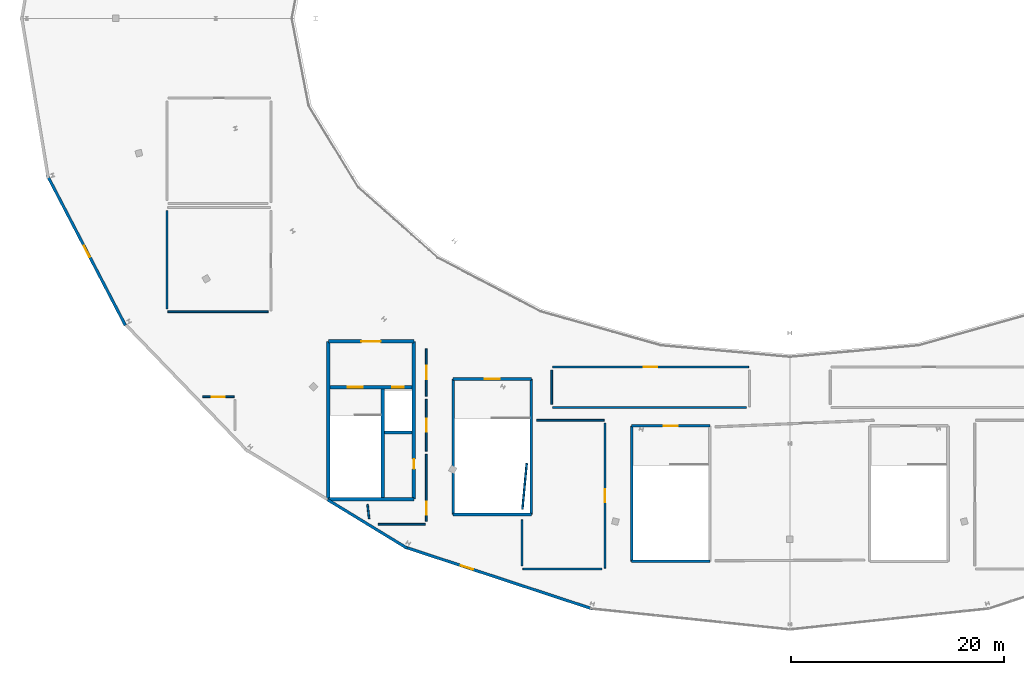
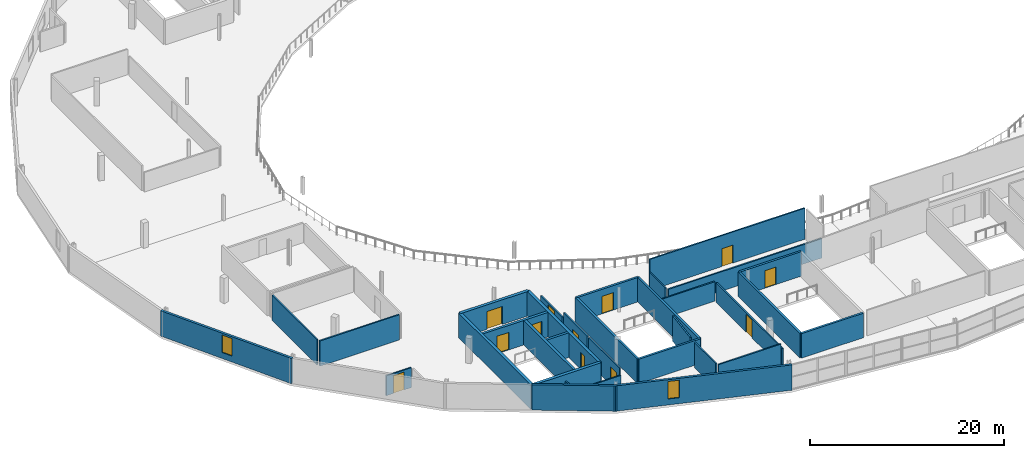
# One storey, part 25 of 35: 33 walls, 12 doors, 2 windows, 14 openings.
"""IFC4 building model written with IfcOpenShell, lengths in metres."""

from ifc_helpers import new_model, si_unit, direction, frame, frame_2d, origin, place, context, subcontext, project, spatial, rectangle, extrude, material, layer, layer_set, type_object, element, fill, save


model = new_model("IFC4")

# Units and contexts
model_context = context("Model", 3, precision=1e-05, world=origin(), true_north=direction((0.0, 1.0)))
body_context = subcontext(model_context, "Body", "Model", "MODEL_VIEW")
ifc_project = project(units=[si_unit("LENGTHUNIT", "METRE"), si_unit("AREAUNIT", "SQUARE_METRE"), si_unit("VOLUMEUNIT", "CUBIC_METRE"), si_unit("PLANEANGLEUNIT", "RADIAN"), si_unit("MASSUNIT", "GRAM", prefix="KILO")], contexts=[model_context])

# Site, building, storey
site_placement = place(None, origin())
site = spatial("IfcSite", under=ifc_project, at=site_placement, CompositionType="ELEMENT")
building_placement = place(site_placement, origin())
building = spatial("IfcBuilding", under=site, at=building_placement, Name="Kalgoora Escarpment Arena", CompositionType="ELEMENT")
storey_placement = place(building_placement, frame((0.0, 0.0, 23.39990234375)))
storey = spatial("IfcBuildingStorey", under=building, at=storey_placement, Name="L05", CompositionType="ELEMENT", Elevation=23.39990234375)

# Wall
ifc_material_1 = material(Name="Concrete N50 (fc' 50 MPa)", Category="concrete")
ifc_layer_1 = layer(ifc_material_1, 0.35009765625)
ifc_layer_set_1 = layer_set([ifc_layer_1], Name="WAL-CORE-350")
wall_type_1 = type_object("IfcWallType", Name="WAL-CORE-350", PredefinedType="SHEAR", material=ifc_layer_set_1)
wall_1_placement = place(storey_placement, frame((48.97509765625, 18.77490234375, 0.0), z_axis=(0.0, 0.0, 1.0), x_axis=(1.0, 0.0, 0.0)))
element("IfcWall", 1, at=wall_1_placement, inside=storey, type_object=wall_type_1, Name="Core C5 L05 south shear wall", PredefinedType="SHEAR", context=body_context, shape_type="SweptSolid", body=[
    extrude(rectangle(XDim=8.0498046875, YDim=0.35009765625, at=frame_2d((4.02490234375, 0.0))), origin(), (0.0, 0.0, 1.0), 3.080078125),
])

# Wall, opening, door
wall_2_placement = place(storey_placement, frame((48.97509765625, 33.625, 0.0), z_axis=(0.0, 0.0, 1.0), x_axis=(1.0, 0.0, 0.0)))
wall_2 = element("IfcWall", 2, at=wall_2_placement, inside=storey, type_object=wall_type_1, Name="Core C5 L05 north lobby wall", PredefinedType="SHEAR", context=body_context, shape_type="SweptSolid", body=[
    extrude(rectangle(XDim=8.0498046875, YDim=0.35009765625, at=frame_2d((4.02490234375, 0.0))), origin(), (0.0, 0.0, 1.0), 3.080078125),
])
opening_1_placement = place(wall_2_placement, frame((3.125, 0.0, 0.0)))
opening_1 = element("IfcOpeningElement", 3, at=opening_1_placement, cuts=wall_2, Name="Opening FD-C5L", PredefinedType="OPENING", context=body_context, shape_type="SweptSolid", body=[
    extrude(rectangle(XDim=1.800048828125, YDim=2.25, at=frame_2d((0.89990234375, 1.125))), frame((0.0, 0.18505859375, 0.0), z_axis=(0.0, -1.0, 0.0), x_axis=(1.0, 0.0, 0.0)), (0.0, 0.0, 1.0), 0.3701171875),
])
ifc_material_2 = material(Name="Double fire-rated smoke-seal lobby door")
door_type_1 = type_object("IfcDoorType", Name="DR-LOBBY-1800", OperationType="NOTDEFINED", PredefinedType="DOOR", material=ifc_material_2)
door_1_placement = place(opening_1_placement, origin())
door_1 = element("IfcDoor", 4, at=door_1_placement, inside=storey, type_object=door_type_1, Name="Core C5 L05 smoke-lobby fire door", OperationType="DOUBLE_DOOR_SINGLE_SWING", OverallHeight=2.25, OverallWidth=1.800048828125, PredefinedType="DOOR", context=body_context, shape_type="SweptSolid", body=[
    extrude(rectangle(XDim=1.800048828125, YDim=2.25, at=frame_2d((0.89990234375, 1.125))), frame((0.0, 0.02490234375, 0.0), z_axis=(0.0, -1.0, 0.0), x_axis=(1.0, 0.0, 0.0)), (0.0, 0.0, 1.0), 0.050048828125),
])
fill(opening_1, door_1)

# Wall
wall_3_placement = place(storey_placement, frame((48.97509765625, 18.77490234375, 0.0), z_axis=(0.0, 0.0, 1.0), x_axis=(0.0, 1.0, 0.0)))
element("IfcWall", 5, at=wall_3_placement, inside=storey, type_object=wall_type_1, Name="Core C5 L05 west shear wall", PredefinedType="SHEAR", context=body_context, shape_type="SweptSolid", body=[
    extrude(rectangle(XDim=14.85009765625, YDim=0.35009765625, at=frame_2d((7.425048828125, 0.0))), origin(), (0.0, 0.0, 1.0), 3.080078125),
])

# Wall, opening, door
wall_4_placement = place(storey_placement, frame((57.02490234375, 18.77490234375, 0.0), z_axis=(0.0, 0.0, 1.0), x_axis=(0.0, 1.0, 0.0)))
wall_4 = element("IfcWall", 6, at=wall_4_placement, inside=storey, type_object=wall_type_1, Name="Core C5 L05 east shear wall", PredefinedType="SHEAR", context=body_context, shape_type="SweptSolid", body=[
    extrude(rectangle(XDim=14.85009765625, YDim=0.35009765625, at=frame_2d((7.425048828125, 0.0))), origin(), (0.0, 0.0, 1.0), 3.080078125),
])
opening_2_placement = place(wall_4_placement, frame((2.85498046875, 0.0, 0.0)))
opening_2 = element("IfcOpeningElement", 7, at=opening_2_placement, cuts=wall_4, Name="Opening FD-C5R", PredefinedType="OPENING", context=body_context, shape_type="SweptSolid", body=[
    extrude(rectangle(XDim=0.89990234375, YDim=2.10009765625, at=frame_2d((0.449951171875, 1.050048828125))), frame((0.0, 0.18505859375, 0.0), z_axis=(0.0, -1.0, 0.0), x_axis=(1.0, 0.0, 0.0)), (0.0, 0.0, 1.0), 0.3701171875),
])
ifc_material_3 = material(Name="Fire-rated steel riser access door", Category="steel")
door_type_2 = type_object("IfcDoorType", Name="DR-RISER-0900", OperationType="NOTDEFINED", PredefinedType="DOOR", material=ifc_material_3)
door_2_placement = place(opening_2_placement, origin())
door_2 = element("IfcDoor", 8, at=door_2_placement, inside=storey, type_object=door_type_2, Name="Core C5 L05 riser cupboard access door", OperationType="SINGLE_SWING_RIGHT", OverallHeight=2.10009765625, OverallWidth=0.89990234375, PredefinedType="DOOR", context=body_context, shape_type="SweptSolid", body=[
    extrude(rectangle(XDim=0.89990234375, YDim=2.10009765625, at=frame_2d((0.449951171875, 1.050048828125))), frame((0.0, 0.02490234375, 0.0), z_axis=(0.0, -1.0, 0.0), x_axis=(1.0, 0.0, 0.0)), (0.0, 0.0, 1.0), 0.050048828125),
])
fill(opening_2, door_2)

# Wall, opening, window
ifc_material_4 = material(Name="Media ring insulated acoustic facade wall 40 MPa", Category="concrete")
ifc_layer_2 = layer(ifc_material_4, 0.264892578125)
ifc_layer_set_2 = layer_set([ifc_layer_2], Name="WAL-EXT-265")
wall_type_2 = type_object("IfcWallType", Name="WAL-EXT-265", PredefinedType="SOLIDWALL", material=ifc_layer_set_2)
wall_5_placement = place(storey_placement, frame((73.848876953125, 8.4404296875, 0.0), z_axis=(0.0, 0.0, 1.0), x_axis=(-0.949760483421, 0.312977673536, 0.0)))
wall_5 = element("IfcWall", 9, at=wall_5_placement, inside=storey, type_object=wall_type_2, Name="L05 limestone-faced external wall 083", PredefinedType="SOLIDWALL", context=body_context, shape_type="SweptSolid", body=[
    extrude(rectangle(XDim=18.692626953125, YDim=0.264892578125, at=frame_2d((9.34619140625, 0.0))), origin(), (0.0, 0.0, 1.0), 3.18017578125),
])
opening_3_placement = place(wall_5_placement, frame((11.85009765625, 0.0, 0.75)))
opening_3 = element("IfcOpeningElement", 10, at=opening_3_placement, cuts=wall_5, Name="Opening W-05", PredefinedType="OPENING", context=body_context, shape_type="SweptSolid", body=[
    extrude(rectangle(XDim=1.199951171875, YDim=2.199951171875, at=frame_2d((0.60009765625, 1.10009765625))), frame((0.0, 0.142333984375, 0.0), z_axis=(0.0, -1.0, 0.0), x_axis=(1.0, 0.0, 0.0)), (0.0, 0.0, 1.0), 0.284912109375),
])
ifc_material_5 = material(Name="Low-E solar-control double glazing in champagne frame", Category="glass")
window_type = type_object("IfcWindowType", Name="WIN-DECO-1200x2200", PartitioningType="SINGLE_PANEL", PredefinedType="WINDOW", material=ifc_material_5)
window_1_placement = place(opening_3_placement, origin())
window_1 = element("IfcWindow", 11, at=window_1_placement, inside=storey, type_object=window_type, Name="L05 scheduled facade window 143", OverallHeight=2.199951171875, OverallWidth=1.199951171875, PartitioningType="SINGLE_PANEL", PredefinedType="WINDOW", context=body_context, shape_type="SweptSolid", body=[
    extrude(rectangle(XDim=1.199951171875, YDim=2.199951171875, at=frame_2d((0.60009765625, 1.10009765625))), frame((0.0, 0.030029296875, 0.0), z_axis=(0.0, -1.0, 0.0), x_axis=(1.0, 0.0, 0.0)), (0.0, 0.0, 1.0), 0.06005859375),
])
fill(opening_3, window_1)

# Wall
wall_6_placement = place(storey_placement, frame((56.400146484375, 14.14990234375, 0.0), z_axis=(0.0, 0.0, 1.0), x_axis=(-0.853522240257, 0.521056412864, 0.0)))
element("IfcWall", 12, at=wall_6_placement, inside=storey, type_object=wall_type_2, Name="L05 limestone-faced external wall 084", PredefinedType="SOLIDWALL", context=body_context, shape_type="SweptSolid", body=[
    extrude(rectangle(XDim=8.757568359375, YDim=0.264892578125, at=frame_2d((4.37890625, 0.0))), origin(), (0.0, 0.0, 1.0), 3.18017578125),
])

# Wall, opening, window
wall_7_placement = place(storey_placement, frame((29.88818359375, 35.125, 0.0), z_axis=(0.0, 0.0, 1.0), x_axis=(-0.461805637467, 0.886981145912, 0.0)))
wall_7 = element("IfcWall", 13, at=wall_7_placement, inside=storey, type_object=wall_type_2, Name="L05 limestone-faced external wall 087", PredefinedType="SOLIDWALL", context=body_context, shape_type="SweptSolid", body=[
    extrude(rectangle(XDim=15.969482421875, YDim=0.264892578125, at=frame_2d((7.98486328125, 0.0))), origin(), (0.0, 0.0, 1.0), 3.18017578125),
])
opening_4_placement = place(wall_7_placement, frame((7.25, 0.0, 0.75)))
opening_4 = element("IfcOpeningElement", 14, at=opening_4_placement, cuts=wall_7, Name="Opening W-05", PredefinedType="OPENING", context=body_context, shape_type="SweptSolid", body=[
    extrude(rectangle(XDim=1.199951171875, YDim=2.199951171875, at=frame_2d((0.60009765625, 1.10009765625))), frame((0.0, 0.142333984375, 0.0), z_axis=(0.0, -1.0, 0.0), x_axis=(1.0, 0.0, 0.0)), (0.0, 0.0, 1.0), 0.284912109375),
])
window_2_placement = place(opening_4_placement, origin())
window_2 = element("IfcWindow", 15, at=window_2_placement, inside=storey, type_object=window_type, Name="L05 scheduled facade window 144", OverallHeight=2.199951171875, OverallWidth=1.199951171875, PartitioningType="SINGLE_PANEL", PredefinedType="WINDOW", context=body_context, shape_type="SweptSolid", body=[
    extrude(rectangle(XDim=1.199951171875, YDim=2.199951171875, at=frame_2d((0.60009765625, 1.10009765625))), frame((0.0, 0.030029296875, 0.0), z_axis=(0.0, -1.0, 0.0), x_axis=(1.0, 0.0, 0.0)), (0.0, 0.0, 1.0), 0.06005859375),
])
fill(opening_4, window_2)

# Walls
ifc_material_6 = material(Name="Broadcast acoustic double-stud partition", Category="gypsum")
ifc_layer_3 = layer(ifc_material_6, 0.1650390625)
ifc_layer_set_3 = layer_set([ifc_layer_3], Name="WAL-MED-165")
wall_type_3 = type_object("IfcWallType", Name="WAL-MED-165", PredefinedType="PARTITIONING", material=ifc_layer_set_3)
wall_8_placement = place(storey_placement, frame((43.315185546875, 36.39990234375, 0.0), z_axis=(0.0, 0.0, 1.0), x_axis=(-1.0, 0.0, 0.0)))
element("IfcWall", 16, at=wall_8_placement, inside=storey, type_object=wall_type_3, Name="L05 Venue Operations Command partition wall", PredefinedType="PARTITIONING", context=body_context, shape_type="SweptSolid", body=[
    extrude(rectangle(XDim=9.435302734375, YDim=0.1650390625, at=frame_2d((4.7177734375, 0.0))), origin(), (0.0, 0.0, 1.0), 3.18017578125),
])
wall_9_placement = place(storey_placement, frame((33.800048828125, 36.684814453125, 0.0), z_axis=(0.0, 0.0, 1.0), x_axis=(0.0, 1.0, 0.0)))
element("IfcWall", 17, at=wall_9_placement, inside=storey, type_object=wall_type_3, Name="L05 Venue Operations Command partition wall", PredefinedType="PARTITIONING", context=body_context, shape_type="SweptSolid", body=[
    extrude(rectangle(XDim=9.23046875, YDim=0.1650390625, at=frame_2d((4.615234375, 0.0))), origin(), (0.0, 0.0, 1.0), 3.18017578125),
])
wall_10_placement = place(storey_placement, frame((58.1201171875, 16.39990234375, 0.0), z_axis=(0.0, 0.0, 1.0), x_axis=(-1.0, 0.0, 0.0)))
element("IfcWall", 18, at=wall_10_placement, inside=storey, type_object=wall_type_3, Name="L05 West Emergency Control Suite partition wall", PredefinedType="PARTITIONING", context=body_context, shape_type="SweptSolid", body=[
    extrude(rectangle(XDim=4.462158203125, YDim=0.1650390625, at=frame_2d((2.23095703125, 0.0))), origin(), (0.0, 0.0, 1.0), 2.5),
])
wall_11_placement = place(storey_placement, frame((52.821044921875, 16.93603515625, 0.0), z_axis=(0.0, 0.0, 1.0), x_axis=(-0.113551698824, 0.99353208891, 0.0)))
element("IfcWall", 19, at=wall_11_placement, inside=storey, type_object=wall_type_3, Name="L05 West Emergency Control Suite partition wall", PredefinedType="PARTITIONING", context=body_context, shape_type="SweptSolid", body=[
    extrude(rectangle(XDim=1.34814453125, YDim=0.1650390625, at=frame_2d((0.674072265625, 0.0))), origin(), (0.0, 0.0, 1.0), 2.5),
])

# Wall, opening, door
wall_12_placement = place(storey_placement, frame((58.199951171875, 22.9951171875, 0.0), z_axis=(0.0, 0.0, 1.0), x_axis=(0.0, -1.0, 0.0)))
wall_12 = element("IfcWall", 20, at=wall_12_placement, inside=storey, type_object=wall_type_3, Name="L05 West Emergency Control Suite partition wall", PredefinedType="PARTITIONING", context=body_context, shape_type="SweptSolid", body=[
    extrude(rectangle(XDim=6.310302734375, YDim=0.1650390625, at=frame_2d((3.1552734375, 0.0))), origin(), (0.0, 0.0, 1.0), 3.18017578125),
])
opening_5_placement = place(wall_12_placement, frame((4.452880859375, 0.0, 0.0)))
opening_5 = element("IfcOpeningElement", 21, at=opening_5_placement, cuts=wall_12, Name="Opening FD-I163", PredefinedType="OPENING", context=body_context, shape_type="SweptSolid", body=[
    extrude(rectangle(XDim=1.25, YDim=2.25, at=frame_2d((0.625, 1.125))), frame((0.0, 0.092529296875, 0.0), z_axis=(0.0, -1.0, 0.0), x_axis=(1.0, 0.0, 0.0)), (0.0, 0.0, 1.0), 0.18505859375),
])
ifc_material_7 = material(Name="Acoustic seal broadcast studio leaf")
door_type_3 = type_object("IfcDoorType", Name="DR-MED-1250", OperationType="NOTDEFINED", PredefinedType="DOOR", material=ifc_material_7)
door_3_placement = place(opening_5_placement, origin())
door_3 = element("IfcDoor", 22, at=door_3_placement, inside=storey, type_object=door_type_3, Name="West Emergency Control Suite entrance door", OperationType="SINGLE_SWING_LEFT", OverallHeight=2.25, OverallWidth=1.25, PredefinedType="DOOR", context=body_context, shape_type="SweptSolid", body=[
    extrude(rectangle(XDim=1.25, YDim=2.25, at=frame_2d((0.625, 1.125))), frame((0.0, 0.02490234375, 0.0), z_axis=(0.0, -1.0, 0.0), x_axis=(1.0, 0.0, 0.0)), (0.0, 0.0, 1.0), 0.050048828125),
])
fill(opening_5, door_3)

wall_13_placement = place(storey_placement, frame((58.199951171875, 28.169921875, 0.0), z_axis=(0.0, 0.0, 1.0), x_axis=(0.0, -1.0, 0.0)))
wall_13 = element("IfcWall", 23, at=wall_13_placement, inside=storey, type_object=wall_type_3, Name="L05 West Emergency Control Suite 2 partition wall", PredefinedType="PARTITIONING", context=body_context, shape_type="SweptSolid", body=[
    extrude(rectangle(XDim=4.875, YDim=0.1650390625, at=frame_2d((2.4375, 0.0))), origin(), (0.0, 0.0, 1.0), 3.18017578125),
])
opening_6_placement = place(wall_13_placement, frame((1.8125, 0.0, 0.0)))
opening_6 = element("IfcOpeningElement", 24, at=opening_6_placement, cuts=wall_13, Name="Opening FD-I164", PredefinedType="OPENING", context=body_context, shape_type="SweptSolid", body=[
    extrude(rectangle(XDim=1.25, YDim=2.25, at=frame_2d((0.625, 1.125))), frame((0.0, 0.092529296875, 0.0), z_axis=(0.0, -1.0, 0.0), x_axis=(1.0, 0.0, 0.0)), (0.0, 0.0, 1.0), 0.18505859375),
])
door_4_placement = place(opening_6_placement, origin())
door_4 = element("IfcDoor", 25, at=door_4_placement, inside=storey, type_object=door_type_3, Name="West Emergency Control Suite 2 entrance door", OperationType="SINGLE_SWING_RIGHT", OverallHeight=2.25, OverallWidth=1.25, PredefinedType="DOOR", context=body_context, shape_type="SweptSolid", body=[
    extrude(rectangle(XDim=1.25, YDim=2.25, at=frame_2d((0.625, 1.125))), frame((0.0, 0.02490234375, 0.0), z_axis=(0.0, -1.0, 0.0), x_axis=(1.0, 0.0, 0.0)), (0.0, 0.0, 1.0), 0.050048828125),
])
fill(opening_6, door_4)

wall_14_placement = place(storey_placement, frame((58.199951171875, 32.919921875, 0.0), z_axis=(0.0, 0.0, 1.0), x_axis=(0.0, -1.0, 0.0)))
wall_14 = element("IfcWall", 26, at=wall_14_placement, inside=storey, type_object=wall_type_3, Name="L05 West Emergency Control Suite 3 partition wall", PredefinedType="PARTITIONING", context=body_context, shape_type="SweptSolid", body=[
    extrude(rectangle(XDim=4.449951171875, YDim=0.1650390625, at=frame_2d((2.22509765625, 0.0))), origin(), (0.0, 0.0, 1.0), 2.445068359375),
])
opening_7_placement = place(wall_14_placement, frame((1.60009765625, 0.0, 0.0)))
opening_7 = element("IfcOpeningElement", 27, at=opening_7_placement, cuts=wall_14, Name="Opening FD-I165", PredefinedType="OPENING", context=body_context, shape_type="SweptSolid", body=[
    extrude(rectangle(XDim=1.25, YDim=2.25, at=frame_2d((0.625, 1.125))), frame((0.0, 0.092529296875, 0.0), z_axis=(0.0, -1.0, 0.0), x_axis=(1.0, 0.0, 0.0)), (0.0, 0.0, 1.0), 0.18505859375),
])
door_5_placement = place(opening_7_placement, origin())
door_5 = element("IfcDoor", 28, at=door_5_placement, inside=storey, type_object=door_type_3, Name="West Emergency Control Suite 3 entrance door", OperationType="SINGLE_SWING_LEFT", OverallHeight=2.25, OverallWidth=1.25, PredefinedType="DOOR", context=body_context, shape_type="SweptSolid", body=[
    extrude(rectangle(XDim=1.25, YDim=2.25, at=frame_2d((0.625, 1.125))), frame((0.0, 0.02490234375, 0.0), z_axis=(0.0, -1.0, 0.0), x_axis=(1.0, 0.0, 0.0)), (0.0, 0.0, 1.0), 0.050048828125),
])
fill(opening_7, door_5)

wall_15_placement = place(storey_placement, frame((37.147705078125, 28.39990234375, 0.0), z_axis=(0.0, 0.0, 1.0), x_axis=(1.0, 0.0, 0.0)))
wall_15 = element("IfcWall", 29, at=wall_15_placement, inside=storey, type_object=wall_type_3, Name="L05 South West Security Control partition wall", PredefinedType="PARTITIONING", context=body_context, shape_type="SweptSolid", body=[
    extrude(rectangle(XDim=2.972412109375, YDim=0.1650390625, at=frame_2d((1.486328125, 0.0))), origin(), (0.0, 0.0, 1.0), 2.5),
])
opening_8_placement = place(wall_15_placement, frame((0.861083984375, 0.0, 0.0)))
opening_8 = element("IfcOpeningElement", 30, at=opening_8_placement, cuts=wall_15, Name="Opening FD-I166", PredefinedType="OPENING", context=body_context, shape_type="SweptSolid", body=[
    extrude(rectangle(XDim=1.25, YDim=2.25, at=frame_2d((0.625, 1.125))), frame((0.0, 0.092529296875, 0.0), z_axis=(0.0, -1.0, 0.0), x_axis=(1.0, 0.0, 0.0)), (0.0, 0.0, 1.0), 0.18505859375),
])
door_6_placement = place(opening_8_placement, origin())
door_6 = element("IfcDoor", 31, at=door_6_placement, inside=storey, type_object=door_type_3, Name="South West Security Control entrance door", OperationType="SINGLE_SWING_RIGHT", OverallHeight=2.25, OverallWidth=1.25, PredefinedType="DOOR", context=body_context, shape_type="SweptSolid", body=[
    extrude(rectangle(XDim=1.25, YDim=2.25, at=frame_2d((0.625, 1.125))), frame((0.0, 0.02490234375, 0.0), z_axis=(0.0, -1.0, 0.0), x_axis=(1.0, 0.0, 0.0)), (0.0, 0.0, 1.0), 0.050048828125),
])
fill(opening_8, door_6)

wall_16_placement = place(storey_placement, frame((70.080078125, 31.199951171875, 0.0), z_axis=(0.0, 0.0, 1.0), x_axis=(1.0, 0.0, 0.0)))
wall_16 = element("IfcWall", 32, at=wall_16_placement, inside=storey, type_object=wall_type_3, Name="L05 South Broadcast Observation partition wall", PredefinedType="PARTITIONING", context=body_context, shape_type="SweptSolid", body=[
    extrude(rectangle(XDim=18.43994140625, YDim=0.1650390625, at=frame_2d((9.219970703125, 0.0))), origin(), (0.0, 0.0, 1.0), 3.900146484375),
])
opening_9_placement = place(wall_16_placement, frame((8.594970703125, 0.0, 0.0)))
opening_9 = element("IfcOpeningElement", 33, at=opening_9_placement, cuts=wall_16, Name="Opening FD-I171", PredefinedType="OPENING", context=body_context, shape_type="SweptSolid", body=[
    extrude(rectangle(XDim=1.25, YDim=2.25, at=frame_2d((0.625, 1.125))), frame((0.0, 0.092529296875, 0.0), z_axis=(0.0, -1.0, 0.0), x_axis=(1.0, 0.0, 0.0)), (0.0, 0.0, 1.0), 0.18505859375),
])
door_7_placement = place(opening_9_placement, origin())
door_7 = element("IfcDoor", 34, at=door_7_placement, inside=storey, type_object=door_type_3, Name="South Broadcast Observation entrance door", OperationType="SINGLE_SWING_LEFT", OverallHeight=2.25, OverallWidth=1.25, PredefinedType="DOOR", context=body_context, shape_type="SweptSolid", body=[
    extrude(rectangle(XDim=1.25, YDim=2.25, at=frame_2d((0.625, 1.125))), frame((0.0, 0.02490234375, 0.0), z_axis=(0.0, -1.0, 0.0), x_axis=(1.0, 0.0, 0.0)), (0.0, 0.0, 1.0), 0.050048828125),
])
fill(opening_9, door_7)

# Walls
wall_17_placement = place(storey_placement, frame((88.315185546875, 27.39990234375, 0.0), z_axis=(0.0, 0.0, 1.0), x_axis=(-1.0, 0.0, 0.0)))
element("IfcWall", 35, at=wall_17_placement, inside=storey, type_object=wall_type_3, Name="L05 South Broadcast Observation partition wall", PredefinedType="PARTITIONING", context=body_context, shape_type="SweptSolid", body=[
    extrude(rectangle(XDim=18.235107421875, YDim=0.1650390625, at=frame_2d((9.11767578125, 0.0))), origin(), (0.0, 0.0, 1.0), 2.445068359375),
])
wall_18_placement = place(storey_placement, frame((70.0, 27.684814453125, 0.0), z_axis=(0.0, 0.0, 1.0), x_axis=(0.0, 1.0, 0.0)))
element("IfcWall", 36, at=wall_18_placement, inside=storey, type_object=wall_type_3, Name="L05 South Broadcast Observation partition wall", PredefinedType="PARTITIONING", context=body_context, shape_type="SweptSolid", body=[
    extrude(rectangle(XDim=3.23046875, YDim=0.1650390625, at=frame_2d((1.615234375, 0.0))), origin(), (0.0, 0.0, 1.0), 2.445068359375),
])
wall_19_placement = place(storey_placement, frame((67.24267578125, 17.82470703125, 0.0), z_axis=(0.0, 0.0, 1.0), x_axis=(0.093589006701, 0.995610916887, 0.0)))
element("IfcWall", 37, at=wall_19_placement, inside=storey, type_object=wall_type_3, Name="L05 Event Control partition wall", PredefinedType="PARTITIONING", context=body_context, shape_type="SweptSolid", body=[
    extrude(rectangle(XDim=4.3251953125, YDim=0.1650390625, at=frame_2d((2.16259765625, 0.0))), origin(), (0.0, 0.0, 1.0), 3.18017578125),
])
wall_20_placement = place(storey_placement, frame((68.574951171875, 26.199951171875, 0.0), z_axis=(0.0, 0.0, 1.0), x_axis=(1.0, 0.0, 0.0)))
element("IfcWall", 38, at=wall_20_placement, inside=storey, type_object=wall_type_3, Name="L05 Event Control partition wall", PredefinedType="PARTITIONING", context=body_context, shape_type="SweptSolid", body=[
    extrude(rectangle(XDim=6.344970703125, YDim=0.1650390625, at=frame_2d((3.17236328125, 0.0))), origin(), (0.0, 0.0, 1.0), 2.445068359375),
])

# Wall, opening, door
wall_21_placement = place(storey_placement, frame((75.0, 25.915283203125, 0.0), z_axis=(0.0, 0.0, 1.0), x_axis=(0.0, -1.0, 0.0)))
wall_21 = element("IfcWall", 39, at=wall_21_placement, inside=storey, type_object=wall_type_3, Name="L05 Event Control partition wall", PredefinedType="PARTITIONING", context=body_context, shape_type="SweptSolid", body=[
    extrude(rectangle(XDim=13.63525390625, YDim=0.1650390625, at=frame_2d((6.817626953125, 0.0))), origin(), (0.0, 0.0, 1.0), 2.445068359375),
])
opening_10_placement = place(wall_21_placement, frame((6.192626953125, 0.0, 0.0)))
opening_10 = element("IfcOpeningElement", 40, at=opening_10_placement, cuts=wall_21, Name="Opening FD-I173", PredefinedType="OPENING", context=body_context, shape_type="SweptSolid", body=[
    extrude(rectangle(XDim=1.25, YDim=2.25, at=frame_2d((0.625, 1.125))), frame((0.0, 0.092529296875, 0.0), z_axis=(0.0, -1.0, 0.0), x_axis=(1.0, 0.0, 0.0)), (0.0, 0.0, 1.0), 0.18505859375),
])
door_8_placement = place(opening_10_placement, origin())
door_8 = element("IfcDoor", 41, at=door_8_placement, inside=storey, type_object=door_type_3, Name="Event Control entrance door", OperationType="SINGLE_SWING_LEFT", OverallHeight=2.25, OverallWidth=1.25, PredefinedType="DOOR", context=body_context, shape_type="SweptSolid", body=[
    extrude(rectangle(XDim=1.25, YDim=2.25, at=frame_2d((0.625, 1.125))), frame((0.0, 0.02490234375, 0.0), z_axis=(0.0, -1.0, 0.0), x_axis=(1.0, 0.0, 0.0)), (0.0, 0.0, 1.0), 0.050048828125),
])
fill(opening_10, door_8)

# Walls
wall_22_placement = place(storey_placement, frame((74.715087890625, 12.199951171875, 0.0), z_axis=(0.0, 0.0, 1.0), x_axis=(-1.0, 0.0, 0.0)))
element("IfcWall", 42, at=wall_22_placement, inside=storey, type_object=wall_type_3, Name="L05 Event Control partition wall", PredefinedType="PARTITIONING", context=body_context, shape_type="SweptSolid", body=[
    extrude(rectangle(XDim=7.43505859375, YDim=0.1650390625, at=frame_2d((3.717529296875, 0.0))), origin(), (0.0, 0.0, 1.0), 3.18017578125),
])
wall_23_placement = place(storey_placement, frame((67.199951171875, 12.48486328125, 0.0), z_axis=(0.0, 0.0, 1.0), x_axis=(0.0, 1.0, 0.0)))
element("IfcWall", 43, at=wall_23_placement, inside=storey, type_object=wall_type_3, Name="L05 Event Control partition wall", PredefinedType="PARTITIONING", context=body_context, shape_type="SweptSolid", body=[
    extrude(rectangle(XDim=4.340087890625, YDim=0.1650390625, at=frame_2d((2.169921875, 0.0))), origin(), (0.0, 0.0, 1.0), 3.18017578125),
])

# Wall, openings, doors
ifc_material_8 = material(Name="Concrete N50 (fc' 50 MPa)", Category="concrete")
ifc_layer_4 = layer(ifc_material_8, 0.300048828125)
ifc_layer_set_4 = layer_set([ifc_layer_4], Name="WAL-SHAFT-300")
wall_type_4 = type_object("IfcWallType", Name="WAL-SHAFT-300", PredefinedType="SHEAR", material=ifc_layer_set_4)
wall_24_placement = place(storey_placement, frame((49.14990234375, 29.300048828125, 0.0), z_axis=(0.0, 0.0, 1.0), x_axis=(1.0, 0.0, 0.0)))
wall_24 = element("IfcWall", 44, at=wall_24_placement, inside=storey, type_object=wall_type_4, Name="Core C5 L05 lobby shaft wall", PredefinedType="SHEAR", context=body_context, shape_type="SweptSolid", body=[
    extrude(rectangle(XDim=7.7001953125, YDim=0.300048828125, at=frame_2d((3.85009765625, 0.0))), origin(), (0.0, 0.0, 1.0), 3.080078125),
])
opening_11_placement = place(wall_24_placement, frame((1.64990234375, 0.0, 0.0)))
opening_11 = element("IfcOpeningElement", 45, at=opening_11_placement, cuts=wall_24, Name="Opening FD-ST05", PredefinedType="OPENING", context=body_context, shape_type="SweptSolid", body=[
    extrude(rectangle(XDim=1.39990234375, YDim=2.199951171875, at=frame_2d((0.699951171875, 1.10009765625))), frame((0.0, 0.159912109375, 0.0), z_axis=(0.0, -1.0, 0.0), x_axis=(1.0, 0.0, 0.0)), (0.0, 0.0, 1.0), 0.320068359375),
])
opening_12_placement = place(wall_24_placement, frame((5.85009765625, 0.0, 0.0)))
opening_12 = element("IfcOpeningElement", 46, at=opening_12_placement, cuts=wall_24, Name="Opening LD-PL3", PredefinedType="OPENING", context=body_context, shape_type="SweptSolid", body=[
    extrude(rectangle(XDim=1.10009765625, YDim=2.199951171875, at=frame_2d((0.550048828125, 1.10009765625))), frame((0.0, 0.159912109375, 0.0), z_axis=(0.0, -1.0, 0.0), x_axis=(1.0, 0.0, 0.0)), (0.0, 0.0, 1.0), 0.320068359375),
])
ifc_material_9 = material(Name="Brushed stainless steel sliding lift landing door", Category="steel")
door_type_4 = type_object("IfcDoorType", Name="DR-LD-PL3", OperationType="SLIDING_TO_LEFT", PredefinedType="DOOR", material=ifc_material_9)
door_9_placement = place(opening_12_placement, origin())
door_9 = element("IfcDoor", 47, at=door_9_placement, inside=storey, type_object=door_type_4, Name="Lift PL3 L05 sliding landing door", OperationType="SLIDING_TO_LEFT", OverallHeight=2.199951171875, OverallWidth=1.10009765625, PredefinedType="DOOR", context=body_context, shape_type="SweptSolid", body=[
    extrude(rectangle(XDim=1.10009765625, YDim=2.199951171875, at=frame_2d((0.550048828125, 1.10009765625))), frame((0.0, 0.02490234375, 0.0), z_axis=(0.0, -1.0, 0.0), x_axis=(1.0, 0.0, 0.0)), (0.0, 0.0, 1.0), 0.050048828125),
])
fill(opening_12, door_9)
ifc_material_10 = material(Name="Fire-rated steel stair leaf with vision panel", Category="steel")
door_type_5 = type_object("IfcDoorType", Name="DR-STAIR-1400", OperationType="NOTDEFINED", PredefinedType="DOOR", material=ifc_material_10)
door_10_placement = place(opening_11_placement, origin())
door_10 = element("IfcDoor", 48, at=door_10_placement, inside=storey, type_object=door_type_5, Name="Fire stair ST05 L05 fire door", OperationType="SINGLE_SWING_LEFT", OverallHeight=2.199951171875, OverallWidth=1.39990234375, PredefinedType="DOOR", context=body_context, shape_type="SweptSolid", body=[
    extrude(rectangle(XDim=1.39990234375, YDim=2.199951171875, at=frame_2d((0.699951171875, 1.10009765625))), frame((0.0, 0.02490234375, 0.0), z_axis=(0.0, -1.0, 0.0), x_axis=(1.0, 0.0, 0.0)), (0.0, 0.0, 1.0), 0.050048828125),
])
fill(opening_11, door_10)

# Walls
wall_25_placement = place(storey_placement, frame((54.10009765625, 18.949951171875, 0.0), z_axis=(0.0, 0.0, 1.0), x_axis=(0.0, 1.0, 0.0)))
element("IfcWall", 49, at=wall_25_placement, inside=storey, type_object=wall_type_4, Name="Core C5 L05 stair-lift spine wall", PredefinedType="SHEAR", context=body_context, shape_type="SweptSolid", body=[
    extrude(rectangle(XDim=10.35009765625, YDim=0.300048828125, at=frame_2d((5.175048828125, 0.0))), origin(), (0.0, 0.0, 1.0), 3.080078125),
])
wall_26_placement = place(storey_placement, frame((54.25, 25.050048828125, 0.0), z_axis=(0.0, 0.0, 1.0), x_axis=(1.0, 0.0, 0.0)))
element("IfcWall", 50, at=wall_26_placement, inside=storey, type_object=wall_type_4, Name="Core C5 L05 lift-riser divider wall", PredefinedType="SHEAR", context=body_context, shape_type="SweptSolid", body=[
    extrude(rectangle(XDim=2.60009765625, YDim=0.300048828125, at=frame_2d((1.300048828125, 0.0))), origin(), (0.0, 0.0, 1.0), 3.080078125),
])
ifc_material_11 = material(Name="Concrete N50 (fc' 50 MPa)", Category="concrete")
ifc_layer_5 = layer(ifc_material_11, 0.25)
ifc_layer_set_5 = layer_set([ifc_layer_5], Name="WAL-STAIR-250")
wall_type_5 = type_object("IfcWallType", Name="WAL-STAIR-250", PredefinedType="SHEAR", material=ifc_layer_set_5)
wall_27_placement = place(storey_placement, frame((60.72509765625, 17.324951171875, 0.0), z_axis=(0.0, 0.0, 1.0), x_axis=(1.0, 0.0, 0.0)))
element("IfcWall", 51, at=wall_27_placement, inside=storey, type_object=wall_type_5, Name="Exit stair ST13 L05 south wall", PredefinedType="SHEAR", context=body_context, shape_type="SweptSolid", body=[
    extrude(rectangle(XDim=7.349853515625, YDim=0.25, at=frame_2d((3.6748046875, 0.0))), origin(), (0.0, 0.0, 1.0), 3.080078125),
])

# Wall, opening, door
wall_28_placement = place(storey_placement, frame((60.72509765625, 30.074951171875, 0.0), z_axis=(0.0, 0.0, 1.0), x_axis=(1.0, 0.0, 0.0)))
wall_28 = element("IfcWall", 52, at=wall_28_placement, inside=storey, type_object=wall_type_5, Name="Exit stair ST13 L05 north wall", PredefinedType="SHEAR", context=body_context, shape_type="SweptSolid", body=[
    extrude(rectangle(XDim=7.349853515625, YDim=0.25, at=frame_2d((3.6748046875, 0.0))), origin(), (0.0, 0.0, 1.0), 3.080078125),
])
opening_13_placement = place(wall_28_placement, frame((2.97509765625, 0.0, 0.0)))
opening_13 = element("IfcOpeningElement", 53, at=opening_13_placement, cuts=wall_28, Name="Opening FD-ST13", PredefinedType="OPENING", context=body_context, shape_type="SweptSolid", body=[
    extrude(rectangle(XDim=1.39990234375, YDim=2.199951171875, at=frame_2d((0.699951171875, 1.10009765625))), frame((0.0, 0.135009765625, 0.0), z_axis=(0.0, -1.0, 0.0), x_axis=(1.0, 0.0, 0.0)), (0.0, 0.0, 1.0), 0.27001953125),
])
door_11_placement = place(opening_13_placement, origin())
door_11 = element("IfcDoor", 54, at=door_11_placement, inside=storey, type_object=door_type_5, Name="Fire-isolated stair ST13 L05 egress door", OperationType="SINGLE_SWING_RIGHT", OverallHeight=2.199951171875, OverallWidth=1.39990234375, PredefinedType="DOOR", context=body_context, shape_type="SweptSolid", body=[
    extrude(rectangle(XDim=1.39990234375, YDim=2.199951171875, at=frame_2d((0.699951171875, 1.10009765625))), frame((0.0, 0.02490234375, 0.0), z_axis=(0.0, -1.0, 0.0), x_axis=(1.0, 0.0, 0.0)), (0.0, 0.0, 1.0), 0.050048828125),
])
fill(opening_13, door_11)

# Walls
for number, where, z_axis, x_axis, name in (
    (55, (60.72509765625, 17.324951171875, 0.0), (0.0, 0.0, 1.0), (0.0, 1.0, 0.0), "Exit stair ST13 L05 west wall"),
    (56, (68.074951171875, 17.324951171875, 0.0), (0.0, 0.0, 1.0), (0.0, 1.0, 0.0), "Exit stair ST13 L05 east wall"),
):
    element("IfcWall", number, at=place(storey_placement, frame(where, z_axis=z_axis, x_axis=x_axis)), inside=storey, type_object=wall_type_5, Name=name, PredefinedType="SHEAR", context=body_context, shape_type="SweptSolid", body=[
        extrude(rectangle(XDim=12.75, YDim=0.25, at=frame_2d((6.375, 0.0))), origin(), (0.0, 0.0, 1.0), 3.080078125),
    ])
wall_29_placement = place(storey_placement, frame((77.52490234375, 12.925048828125, 0.0), z_axis=(0.0, 0.0, 1.0), x_axis=(1.0, 0.0, 0.0)))
element("IfcWall", 57, at=wall_29_placement, inside=storey, type_object=wall_type_5, Name="Exit stair ST14 L05 south wall", PredefinedType="SHEAR", context=body_context, shape_type="SweptSolid", body=[
    extrude(rectangle(XDim=7.35009765625, YDim=0.25, at=frame_2d((3.675048828125, 0.0))), origin(), (0.0, 0.0, 1.0), 3.080078125),
])

# Wall, opening, door
wall_30_placement = place(storey_placement, frame((77.52490234375, 25.675048828125, 0.0), z_axis=(0.0, 0.0, 1.0), x_axis=(1.0, 0.0, 0.0)))
wall_30 = element("IfcWall", 58, at=wall_30_placement, inside=storey, type_object=wall_type_5, Name="Exit stair ST14 L05 north wall", PredefinedType="SHEAR", context=body_context, shape_type="SweptSolid", body=[
    extrude(rectangle(XDim=7.35009765625, YDim=0.25, at=frame_2d((3.675048828125, 0.0))), origin(), (0.0, 0.0, 1.0), 3.080078125),
])
opening_14_placement = place(wall_30_placement, frame((3.014892578125, 0.0, 0.0)))
opening_14 = element("IfcOpeningElement", 59, at=opening_14_placement, cuts=wall_30, Name="Opening FD-ST14", PredefinedType="OPENING", context=body_context, shape_type="SweptSolid", body=[
    extrude(rectangle(XDim=1.320068359375, YDim=2.199951171875, at=frame_2d((0.66015625, 1.10009765625))), frame((0.0, 0.135009765625, 0.0), z_axis=(0.0, -1.0, 0.0), x_axis=(1.0, 0.0, 0.0)), (0.0, 0.0, 1.0), 0.27001953125),
])
ifc_material_12 = material(Name="Fire-rated steel stair leaf with vision panel", Category="steel")
door_type_6 = type_object("IfcDoorType", Name="DR-STAIR-1320", OperationType="NOTDEFINED", PredefinedType="DOOR", material=ifc_material_12)
door_12_placement = place(opening_14_placement, origin())
door_12 = element("IfcDoor", 60, at=door_12_placement, inside=storey, type_object=door_type_6, Name="Fire-isolated stair ST14 L05 egress door", OperationType="SINGLE_SWING_LEFT", OverallHeight=2.199951171875, OverallWidth=1.320068359375, PredefinedType="DOOR", context=body_context, shape_type="SweptSolid", body=[
    extrude(rectangle(XDim=1.320068359375, YDim=2.199951171875, at=frame_2d((0.66015625, 1.10009765625))), frame((0.0, 0.02490234375, 0.0), z_axis=(0.0, -1.0, 0.0), x_axis=(1.0, 0.0, 0.0)), (0.0, 0.0, 1.0), 0.050048828125),
])
fill(opening_14, door_12)

# Wall
wall_31_placement = place(storey_placement, frame((77.52490234375, 12.925048828125, 0.0), z_axis=(0.0, 0.0, 1.0), x_axis=(0.0, 1.0, 0.0)))
element("IfcWall", 61, at=wall_31_placement, inside=storey, type_object=wall_type_5, Name="Exit stair ST14 L05 west wall", PredefinedType="SHEAR", context=body_context, shape_type="SweptSolid", body=[
    extrude(rectangle(XDim=12.75, YDim=0.25, at=frame_2d((6.375, 0.0))), origin(), (0.0, 0.0, 1.0), 3.080078125),
])

save(model, "model.ifc")
